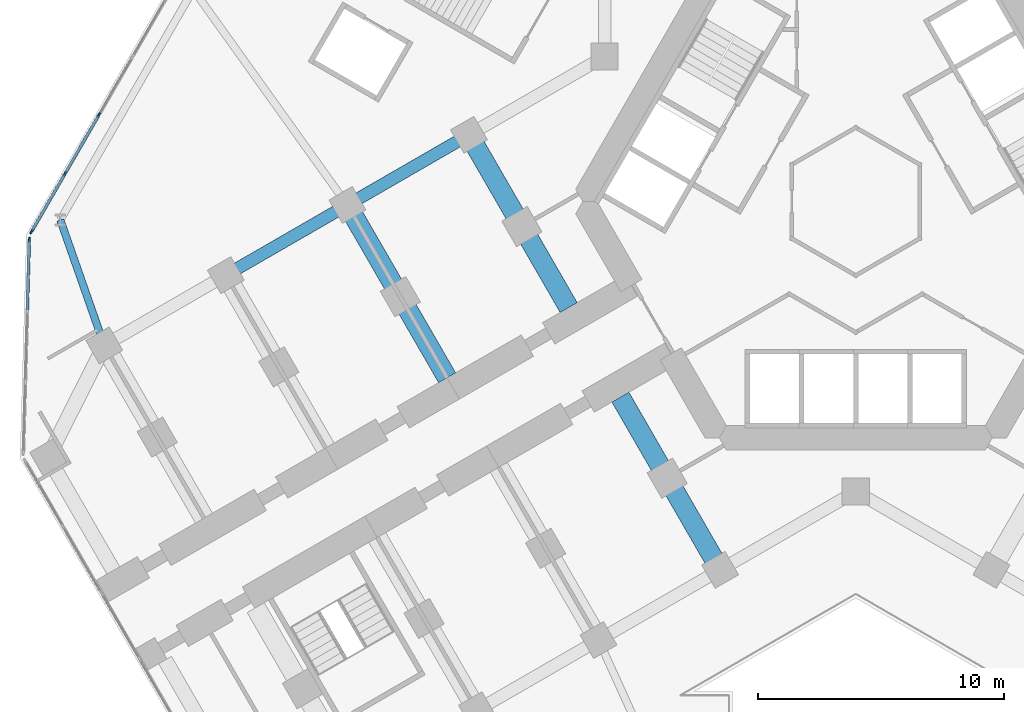
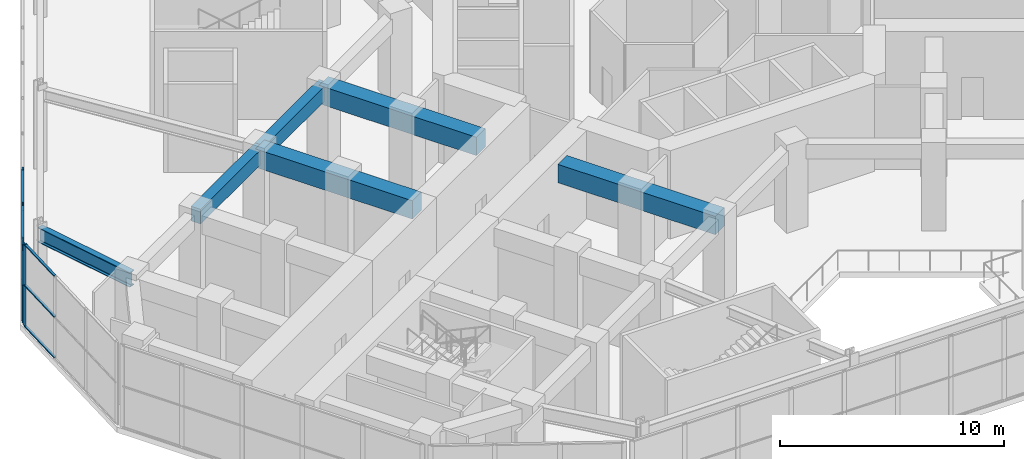
# One storey, part 4 of 22: 13 members, 6 beams, 2 elements without a shape of their own.
"""IFC4 building model written with IfcOpenShell, lengths in metres."""

import ifcopenshell
import ifcopenshell.guid

model = None  # the IFC model being written
_history = None  # IfcOwnerHistory: only IFC2X3 demands one
_inside = {}  # id of a spatial element -> (the spatial element, [elements in it])
_under = {}  # id of a project, library or spatial element -> (it, [spatial elements below it])
_declared = {}  # id of a project -> (the project, [libraries it declares])
_typed = {}  # id of a type object -> (the type object, [elements of that type])
_made_of = {}  # id of a material, layer set ... -> (it, [elements and type objects made of it])


def new_model(schema):
    """Start an empty IFC model of exactly this schema.

    Asked for "IFC4X3", IfcOpenShell would pick the latest addendum, in which some entities
    have other attributes; the version numbers below select the first issue.
    IFC2X3 requires an IfcOwnerHistory on every rooted entity: one is made here for all.
    """
    global model, _history
    if schema == "IFC4X3":
        model = ifcopenshell.file(schema_version=(4, 3, 0, 0))
    else:
        model = ifcopenshell.file(schema=schema)
    _inside.clear()
    _under.clear()
    _declared.clear()
    _typed.clear()
    _made_of.clear()
    _history = None
    if model.schema == "IFC2X3":
        org = make("IfcOrganization", Name="unknown")
        user = make(
            "IfcPersonAndOrganization",
            ThePerson=make("IfcPerson", FamilyName="unknown"),
            TheOrganization=org,
        )
        app = make(
            "IfcApplication",
            ApplicationDeveloper=org,
            Version="unknown",
            ApplicationFullName="unknown",
            ApplicationIdentifier="unknown",
        )
        _history = make(
            "IfcOwnerHistory",
            OwningUser=user,
            OwningApplication=app,
            ChangeAction="ADDED",
            CreationDate=0,
        )
    return model


def make(cls, **values):
    """One entity of the class cls with the attributes given. An attribute that is None is left unset."""
    return model.create_entity(
        cls, **{name: value for name, value in values.items() if value is not None}
    )


def rooted(cls, **values):
    """An entity with a GlobalId (a new one), such as an element, a storey or a relation."""
    return make(cls, GlobalId=ifcopenshell.guid.new(), OwnerHistory=_history, **values)


def si_unit(unit_type, name, prefix=None):
    """IfcSIUnit, for example si_unit("LENGTHUNIT", "METRE", prefix="MILLI")."""
    return make("IfcSIUnit", UnitType=unit_type, Prefix=prefix, Name=name)


def assignment(units):
    """IfcUnitAssignment: the units of a project."""
    return None if units is None else make("IfcUnitAssignment", Units=units)


def point(xyz):
    """IfcCartesianPoint."""
    return None if xyz is None else make("IfcCartesianPoint", Coordinates=xyz)


def direction(xyz):
    """IfcDirection."""
    return None if xyz is None else make("IfcDirection", DirectionRatios=xyz)


def frame(location, z_axis=None, x_axis=None):
    """IfcAxis2Placement3D, a coordinate frame: its origin and axes. An axis left out is left unset."""
    return make(
        "IfcAxis2Placement3D",
        Location=point(location),
        Axis=direction(z_axis),
        RefDirection=direction(x_axis),
    )


def frame_2d(location, x_axis=None):
    """IfcAxis2Placement2D, a coordinate frame in the plane: its origin and x axis."""
    return make(
        "IfcAxis2Placement2D", Location=point(location), RefDirection=direction(x_axis)
    )


def origin():
    """The frame at (0, 0, 0) with its axes left unset."""
    return frame((0.0, 0.0, 0.0))


def origin_2d():
    """The frame at (0, 0) in the plane with its x axis left unset."""
    return frame_2d((0.0, 0.0))


def place(relative_to, where):
    """IfcLocalPlacement: puts the frame where relative to a parent placement (None: the world)."""
    return make(
        "IfcLocalPlacement", PlacementRelTo=relative_to, RelativePlacement=where
    )


def context(
    kind, dimensions, precision=None, world=None, true_north=None, identifier=None
):
    """IfcGeometricRepresentationContext, for example the 3D "Model" context."""
    return make(
        "IfcGeometricRepresentationContext",
        ContextIdentifier=identifier,
        ContextType=kind,
        CoordinateSpaceDimension=dimensions,
        Precision=precision,
        WorldCoordinateSystem=world,
        TrueNorth=true_north,
    )


def subcontext(parent, identifier, kind, view, scale=None):
    """IfcGeometricRepresentationSubContext, for example "Body" below "Model"."""
    return make(
        "IfcGeometricRepresentationSubContext",
        ContextIdentifier=identifier,
        ContextType=kind,
        ParentContext=parent,
        TargetScale=scale,
        TargetView=view,
    )


def project(units=None, contexts=None):
    """IfcProject with its units and contexts."""
    return rooted(
        "IfcProject",
        Name="project",
        RepresentationContexts=contexts,
        UnitsInContext=assignment(units),
    )


def spatial(cls, under=None, at=None, **own):
    """A site, building, storey or space (cls), placed at a placement, below another one or the project."""
    s = rooted(cls, ObjectPlacement=at, **own)
    if under is not None:
        _under.setdefault(under.id(), (under, []))[1].append(s)
    return s


def profile(cls, at=None, kind="AREA", **sizes):
    """A parametric profile (cls). Its sizes go by their IFC names, for example OverallWidth=200.0."""
    return make(cls, ProfileType=kind, Position=at, **sizes)


def rectangle(**sizes):
    """IfcRectangleProfileDef."""
    return profile("IfcRectangleProfileDef", **sizes)


def i_section(**sizes):
    """IfcIShapeProfileDef."""
    return profile("IfcIShapeProfileDef", **sizes)


def extrude(swept, where, along, depth):
    """IfcExtrudedAreaSolid: the profile swept, set in the frame where, extruded along a direction by depth."""
    return make(
        "IfcExtrudedAreaSolid",
        SweptArea=swept,
        Position=where,
        ExtrudedDirection=direction(along),
        Depth=depth,
    )


def shape(context_of_items, identifier, shape_type, items):
    """IfcShapeRepresentation: the items that make up one representation, for example the "Body"."""
    return make(
        "IfcShapeRepresentation",
        ContextOfItems=context_of_items,
        RepresentationIdentifier=identifier,
        RepresentationType=shape_type,
        Items=items,
    )


def material(Name=None, Category=None):
    """IfcMaterial."""
    return make("IfcMaterial", Name=Name, Category=Category)


def material_profile(
    of_material, cross_section, Name=None, Category=None, Priority=None
):
    """IfcMaterialProfile: a cross section and its material."""
    return make(
        "IfcMaterialProfile",
        Name=Name,
        Material=of_material,
        Profile=cross_section,
        Priority=Priority,
        Category=Category,
    )


def profile_set(profiles, Name=None, composite=None):
    """IfcMaterialProfileSet."""
    return make(
        "IfcMaterialProfileSet",
        Name=Name,
        MaterialProfiles=profiles,
        CompositeProfile=composite,
    )


def made_of(thing, what):
    """Note that an element or type object is made of a material, layer set ...; save() writes the relation."""
    if what is not None:
        _made_of.setdefault(what.id(), (what, []))[1].append(thing)
    return thing


def type_object(cls, material=None, **own):
    """A type object (cls), such as IfcWallType, which elements share."""
    return made_of(rooted(cls, **own), material)


def element(
    cls,
    number,
    at=None,
    inside=None,
    cuts=None,
    type_object=None,
    material=None,
    context=None,
    identifier="Body",
    shape_type=None,
    held_by="IfcProductDefinitionShape",
    body=None,
    shapes=None,
    **own,
):
    """One element of the class cls, such as IfcWall. Its Tag is "e" and its number.

    at: its placement. inside: the storey or other place that contains it. cuts: it is an
    opening in that element (IfcRelVoidsElement). A single representation is given by context,
    identifier, shape_type and body (its items); several are given by shapes. held_by: the class
    of the entity that holds the representations. save() writes the other relations.
    """
    e = rooted(cls, Tag="e%d" % number, ObjectPlacement=at, **own)
    if body is not None:
        shapes = [shape(context, identifier, shape_type, body)]
    if shapes is not None:
        e.Representation = make(held_by, Representations=shapes)
    if inside is not None:
        _inside.setdefault(inside.id(), (inside, []))[1].append(e)
    if cuts is not None:
        rooted(
            "IfcRelVoidsElement", RelatingBuildingElement=cuts, RelatedOpeningElement=e
        )
    if type_object is not None:
        _typed.setdefault(type_object.id(), (type_object, []))[1].append(e)
    return made_of(e, material)


def aggregate(whole, parts):
    """IfcRelAggregates: a whole, such as a stair, and the parts it consists of."""
    return rooted("IfcRelAggregates", RelatingObject=whole, RelatedObjects=parts)


def save(model, path):
    """Write the relations noted so far, then the file.

    IfcRelAggregates (storeys below a building ...), IfcRelContainedInSpatialStructure (elements
    in a storey), IfcRelDefinesByType, IfcRelAssociatesMaterial and IfcRelDeclares: one each for
    every whole, place, type object, material and project.
    """
    for whole, parts in _under.values():
        aggregate(whole, parts)
    for where, things in _inside.values():
        rooted(
            "IfcRelContainedInSpatialStructure",
            RelatedElements=things,
            RelatingStructure=where,
        )
    for kind, things in _typed.values():
        rooted("IfcRelDefinesByType", RelatedObjects=things, RelatingType=kind)
    for what, things in _made_of.values():
        rooted("IfcRelAssociatesMaterial", RelatedObjects=things, RelatingMaterial=what)
    for by, libraries in _declared.values():
        rooted("IfcRelDeclares", RelatingContext=by, RelatedDefinitions=libraries)
    model.write(path)


model = new_model("IFC4")

# Units and contexts
model_context = context("Model", 3, precision=1e-05, world=origin(), true_north=direction((0.0, 1.0)))
body_context = subcontext(model_context, "Body", "Model", "MODEL_VIEW")
ifc_project = project(units=[si_unit("LENGTHUNIT", "METRE"), si_unit("AREAUNIT", "SQUARE_METRE"), si_unit("VOLUMEUNIT", "CUBIC_METRE"), si_unit("PLANEANGLEUNIT", "RADIAN"), si_unit("MASSUNIT", "GRAM", prefix="KILO")], contexts=[model_context])

# Site, building, storey
site_placement = place(None, origin())
site = spatial("IfcSite", under=ifc_project, at=site_placement, CompositionType="ELEMENT")
building_placement = place(site_placement, origin())
building = spatial("IfcBuilding", under=site, at=building_placement, Name="Kosmar Iwan School Tower", CompositionType="ELEMENT")
storey_placement = place(building_placement, frame((0.0, 0.0, 10.800048828125)))
storey = spatial("IfcBuildingStorey", under=building, at=storey_placement, Name="L02", CompositionType="ELEMENT", Elevation=10.800048828125)

# Beam
ifc_material_1 = material(Name="Steel S355", Category="steel")
ifc_material_profile_1 = material_profile(ifc_material_1, i_section(OverallWidth=0.300048828125, OverallDepth=0.800048828125, WebThickness=0.017578125, FlangeThickness=0.032958984375, FilletRadius=0.030029296875, at=origin_2d()), Name="HE 800 B")
ifc_profile_set_1 = profile_set([ifc_material_profile_1], Name="Steel S355")
beam_type_1 = type_object("IfcBeamType", Name="Infill edge beam HE 800 B", PredefinedType="BEAM", material=ifc_profile_set_1)
beam_1_placement = place(storey_placement, frame((-30.517822265625, -5.841552734375, 4.099853515625), z_axis=(-0.330701081571, 0.943735553345, 0.0), x_axis=(-0.943735553345, -0.330701081571, 0.0)))
element("IfcBeam", 1, at=beam_1_placement, inside=storey, type_object=beam_type_1, Name="Infill edge beam AB1", PredefinedType="BEAM", context=body_context, shape_type="SweptSolid", body=[
    extrude(i_section(OverallWidth=0.300048828125, OverallDepth=0.800048828125, WebThickness=0.017578125, FlangeThickness=0.032958984375, FilletRadius=0.030029296875, at=origin_2d()), origin(), (0.0, 0.0, 1.0), 5.39599609375),
])

# Curtain wall, members
ifc_material_2 = material(Name="Dark glass in black aluminium frame", Category="aluminium")
curtain_wall_type = type_object("IfcCurtainWallType", Name="Podium curtain wall", PredefinedType="USERDEFINED", material=ifc_material_2)
curtain_wall_1_placement = place(storey_placement, origin())
curtain_wall_1 = element("IfcCurtainWall", 2, at=curtain_wall_1_placement, inside=storey, type_object=curtain_wall_type, Name="Curtain wall L02-F08", ObjectType="STICK CURTAIN WALL", PredefinedType="USERDEFINED")
ifc_material_3 = material(Name="Black anodised aluminium", Category="aluminium")
ifc_material_profile_2 = material_profile(ifc_material_3, rectangle(XDim=0.06494140625, YDim=0.219970703125, at=origin_2d()), Name="MULLION 65x220")
ifc_profile_set_2 = profile_set([ifc_material_profile_2], Name="Black anodised aluminium")
member_type_1 = type_object("IfcMemberType", Name="Podium mullion 65x220", PredefinedType="MULLION", material=ifc_profile_set_2)
member_1_placement = place(storey_placement, frame((-30.741455078125, 3.50439453125, 0.0), z_axis=(0.0, 0.0, 1.0), x_axis=(0.866025390869, -0.50000002237, 0.0)))
member_1 = element("IfcMember", 3, at=member_1_placement, type_object=member_type_1, Name="CW3 mullion 12", PredefinedType="MULLION", context=body_context, shape_type="SweptSolid", body=[
    extrude(rectangle(XDim=0.06494140625, YDim=0.219970703125, at=origin_2d()), origin(), (0.0, 0.0, 1.0), 4.5),
])
member_2_placement = place(storey_placement, frame((-32.112060546875, 1.13037109375, 0.0), z_axis=(0.0, 0.0, 1.0), x_axis=(0.866025390869, -0.50000002237, 0.0)))
member_2 = element("IfcMember", 4, at=member_2_placement, type_object=member_type_1, Name="CW3 mullion 13", PredefinedType="MULLION", context=body_context, shape_type="SweptSolid", body=[
    extrude(rectangle(XDim=0.06494140625, YDim=0.219970703125, at=origin_2d()), origin(), (0.0, 0.0, 1.0), 4.5),
])
member_3_placement = place(storey_placement, frame((-33.46630859375, -1.215576171875, 0.0), z_axis=(0.0, 0.0, 1.0), x_axis=(0.866025390869, -0.50000002237, 0.0)))
member_3 = element("IfcMember", 5, at=member_3_placement, type_object=member_type_1, Name="CW3 mullion 14", PredefinedType="MULLION", context=body_context, shape_type="SweptSolid", body=[
    extrude(rectangle(XDim=0.06494140625, YDim=0.219970703125, at=origin_2d()), origin(), (0.0, 0.0, 1.0), 4.5),
])

# Curtain wall, member
curtain_wall_2_placement = place(storey_placement, origin())
curtain_wall_2 = element("IfcCurtainWall", 6, at=curtain_wall_2_placement, inside=storey, type_object=curtain_wall_type, Name="Curtain wall L02-F09", ObjectType="STICK CURTAIN WALL", PredefinedType="USERDEFINED")
member_4_placement = place(storey_placement, frame((-33.562744140625, -1.555908203125, 0.0), z_axis=(0.0, 0.0, 1.0), x_axis=(0.999597032017, -0.028386151255, 0.0)))
member_4 = element("IfcMember", 7, at=member_4_placement, type_object=member_type_1, Name="CW3 mullion 1", PredefinedType="MULLION", context=body_context, shape_type="SweptSolid", body=[
    extrude(rectangle(XDim=0.06494140625, YDim=0.219970703125, at=origin_2d()), origin(), (0.0, 0.0, 1.0), 4.5),
])

# Beams
ifc_material_4 = material(Name="Concrete C50/60", Category="concrete")
ifc_material_profile_3 = material_profile(ifc_material_4, rectangle(XDim=0.5, YDim=0.800048828125, at=origin_2d()), Name="RC 500x800")
ifc_profile_set_3 = profile_set([ifc_material_profile_3], Name="Concrete C50/60")
beam_type_2 = type_object("IfcBeamType", Name="RC edge beam 500x800", PredefinedType="BEAM", material=ifc_profile_set_3)
beam_2_placement = place(storey_placement, frame((-15.708740234375, 2.70849609375, 4.099853515625), z_axis=(-0.866025820012, -0.499999279071, 0.0), x_axis=(0.499999279071, -0.866025820012, 0.0)))
element("IfcBeam", 8, at=beam_2_placement, inside=storey, type_object=beam_type_2, Name="Edge beam BR2", PredefinedType="BEAM", context=body_context, shape_type="SweptSolid", body=[
    extrude(rectangle(XDim=0.5, YDim=0.800048828125, at=origin_2d()), origin(), (0.0, 0.0, 1.0), 5.7001953125),
])
beam_3_placement = place(storey_placement, frame((-20.645263671875, -0.1416015625, 4.099853515625), z_axis=(-0.866033658841, -0.49998570155, 0.0), x_axis=(0.49998570155, -0.866033658841, 0.0)))
element("IfcBeam", 9, at=beam_3_placement, inside=storey, type_object=beam_type_2, Name="Edge beam BR3", PredefinedType="BEAM", context=body_context, shape_type="SweptSolid", body=[
    extrude(rectangle(XDim=0.5, YDim=0.800048828125, at=origin_2d()), origin(), (0.0, 0.0, 1.0), 5.699951171875),
])
ifc_material_5 = material(Name="Concrete C50/60", Category="concrete")
ifc_material_profile_4 = material_profile(ifc_material_5, rectangle(XDim=0.800048828125, YDim=1.0, at=origin_2d()), Name="RC 800x1000")
ifc_profile_set_4 = profile_set([ifc_material_profile_4], Name="Concrete C50/60")
beam_type_3 = type_object("IfcBeamType", Name="RC transverse beam 800x1000", PredefinedType="BEAM", material=ifc_profile_set_4)
for number, where, z_axis, x_axis, name in (
    (10, (-5.5087890625, -14.95849609375, 4.0), (-0.499999880539, 0.866025472755, 0.0), (-0.866025472755, -0.499999880539, 0.0), "Transverse beam BL1"),
    (11, (-15.708740234375, 2.70849609375, 4.0), (0.499999880539, -0.866025472755, 0.0), (0.866025472755, 0.499999880539, 0.0), "Transverse beam BR1"),
):
    element("IfcBeam", number, at=place(storey_placement, frame(where, z_axis=z_axis, x_axis=x_axis)), inside=storey, type_object=beam_type_3, Name=name, PredefinedType="BEAM", context=body_context, shape_type="SweptSolid", body=[
        extrude(rectangle(XDim=0.800048828125, YDim=1.0, at=origin_2d()), origin(), (0.0, 0.0, 1.0), 8.10009765625),
    ])
beam_4_placement = place(storey_placement, frame((-20.645263671875, -0.1416015625, 4.0), z_axis=(0.500012932018, -0.866017937352, 0.0), x_axis=(0.866017937352, 0.500012932018, 0.0)))
element("IfcBeam", 12, at=beam_4_placement, inside=storey, type_object=beam_type_3, Name="Transverse beam BR2", PredefinedType="BEAM", context=body_context, shape_type="SweptSolid", body=[
    extrude(rectangle(XDim=0.800048828125, YDim=1.0, at=origin_2d()), origin(), (0.0, 0.0, 1.0), 8.099853515625),
])

# Member
ifc_material_6 = material(Name="Black anodised aluminium", Category="aluminium")
ifc_material_profile_5 = material_profile(ifc_material_6, rectangle(XDim=0.1201171875, YDim=0.06005859375, at=origin_2d()), Name="TRANSOM 60x120")
ifc_profile_set_5 = profile_set([ifc_material_profile_5], Name="Black anodised aluminium")
member_type_2 = type_object("IfcMemberType", Name="Transom 60x120", PredefinedType="USERDEFINED", material=ifc_profile_set_5)
member_5_placement = place(storey_placement, frame((-30.757568359375, 3.476318359375, 0.030029296875), z_axis=(-0.499975134057, -0.866039759667, 0.0), x_axis=(0.866039759667, -0.499975134057, 0.0)))
member_5 = element("IfcMember", 13, at=member_5_placement, type_object=member_type_2, Name="CW3 transom 12.1", ObjectType="TRANSOM", PredefinedType="USERDEFINED", context=body_context, shape_type="SweptSolid", body=[
    extrude(rectangle(XDim=0.1201171875, YDim=0.06005859375, at=origin_2d()), origin(), (0.0, 0.0, 1.0), 2.676513671875),
])

member_6_placement = place(storey_placement, frame((-30.757568359375, 3.476318359375, 2.25), z_axis=(-0.499975134057, -0.866039759667, 0.0), x_axis=(0.866039759667, -0.499975134057, 0.0)))
member_6 = element("IfcMember", 14, at=member_6_placement, type_object=member_type_2, Name="CW3 transom 12.2", ObjectType="TRANSOM", PredefinedType="USERDEFINED", context=body_context, shape_type="SweptSolid", body=[
    extrude(rectangle(XDim=0.1201171875, YDim=0.06005859375, at=origin_2d()), origin(), (0.0, 0.0, 1.0), 2.676513671875),
])

member_7_placement = place(storey_placement, frame((-30.757568359375, 3.476318359375, 4.469970703125), z_axis=(-0.499975134057, -0.866039759667, 0.0), x_axis=(0.866039759667, -0.499975134057, 0.0)))
member_7 = element("IfcMember", 15, at=member_7_placement, type_object=member_type_2, Name="CW3 transom 12.3", ObjectType="TRANSOM", PredefinedType="USERDEFINED", context=body_context, shape_type="SweptSolid", body=[
    extrude(rectangle(XDim=0.1201171875, YDim=0.06005859375, at=origin_2d()), origin(), (0.0, 0.0, 1.0), 2.676513671875),
])

member_8_placement = place(storey_placement, frame((-32.128173828125, 1.102294921875, 0.030029296875), z_axis=(-0.500002203974, -0.866024131316, 0.0), x_axis=(0.866024131316, -0.500002203974, 0.0)))
member_8 = element("IfcMember", 16, at=member_8_placement, type_object=member_type_2, Name="CW3 transom 13.1", ObjectType="TRANSOM", PredefinedType="USERDEFINED", context=body_context, shape_type="SweptSolid", body=[
    extrude(rectangle(XDim=0.1201171875, YDim=0.06005859375, at=origin_2d()), origin(), (0.0, 0.0, 1.0), 2.64404296875),
])

member_9_placement = place(storey_placement, frame((-32.128173828125, 1.102294921875, 2.25), z_axis=(-0.500002203974, -0.866024131316, 0.0), x_axis=(0.866024131316, -0.500002203974, 0.0)))
member_9 = element("IfcMember", 17, at=member_9_placement, type_object=member_type_2, Name="CW3 transom 13.2", ObjectType="TRANSOM", PredefinedType="USERDEFINED", context=body_context, shape_type="SweptSolid", body=[
    extrude(rectangle(XDim=0.1201171875, YDim=0.06005859375, at=origin_2d()), origin(), (0.0, 0.0, 1.0), 2.64404296875),
])

member_10_placement = place(storey_placement, frame((-32.128173828125, 1.102294921875, 4.469970703125), z_axis=(-0.500002203974, -0.866024131316, 0.0), x_axis=(0.866024131316, -0.500002203974, 0.0)))
member_10 = element("IfcMember", 18, at=member_10_placement, type_object=member_type_2, Name="CW3 transom 13.3", ObjectType="TRANSOM", PredefinedType="USERDEFINED", context=body_context, shape_type="SweptSolid", body=[
    extrude(rectangle(XDim=0.1201171875, YDim=0.06005859375, at=origin_2d()), origin(), (0.0, 0.0, 1.0), 2.64404296875),
])

aggregate(curtain_wall_1, [member_1, member_2, member_3, member_5, member_6, member_7, member_8, member_9, member_10])

member_11_placement = place(storey_placement, frame((-33.563720703125, -1.588623046875, 0.030029296875), z_axis=(-0.028443064779, -0.999595414188, 0.0), x_axis=(0.999595414188, -0.028443064779, 0.0)))
member_11 = element("IfcMember", 19, at=member_11_placement, type_object=member_type_2, Name="CW3 transom 1.1", ObjectType="TRANSOM", PredefinedType="USERDEFINED", context=body_context, shape_type="SweptSolid", body=[
    extrude(rectangle(XDim=0.1201171875, YDim=0.06005859375, at=origin_2d()), origin(), (0.0, 0.0, 1.0), 2.806884765625),
])

member_12_placement = place(storey_placement, frame((-33.563720703125, -1.588623046875, 2.25), z_axis=(-0.028443064779, -0.999595414188, 0.0), x_axis=(0.999595414188, -0.028443064779, 0.0)))
member_12 = element("IfcMember", 20, at=member_12_placement, type_object=member_type_2, Name="CW3 transom 1.2", ObjectType="TRANSOM", PredefinedType="USERDEFINED", context=body_context, shape_type="SweptSolid", body=[
    extrude(rectangle(XDim=0.1201171875, YDim=0.06005859375, at=origin_2d()), origin(), (0.0, 0.0, 1.0), 2.806884765625),
])

member_13_placement = place(storey_placement, frame((-33.563720703125, -1.588623046875, 4.469970703125), z_axis=(-0.028443064779, -0.999595414188, 0.0), x_axis=(0.999595414188, -0.028443064779, 0.0)))
member_13 = element("IfcMember", 21, at=member_13_placement, type_object=member_type_2, Name="CW3 transom 1.3", ObjectType="TRANSOM", PredefinedType="USERDEFINED", context=body_context, shape_type="SweptSolid", body=[
    extrude(rectangle(XDim=0.1201171875, YDim=0.06005859375, at=origin_2d()), origin(), (0.0, 0.0, 1.0), 2.806884765625),
])

aggregate(curtain_wall_2, [member_4, member_11, member_12, member_13])

save(model, "model.ifc")
